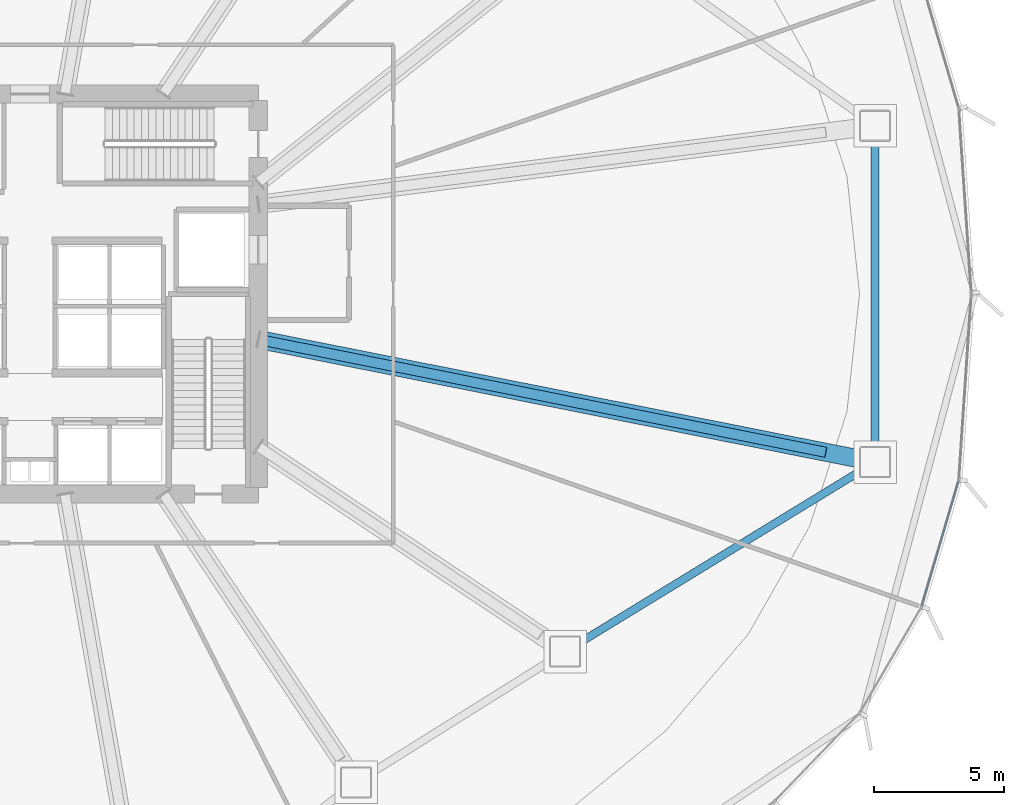
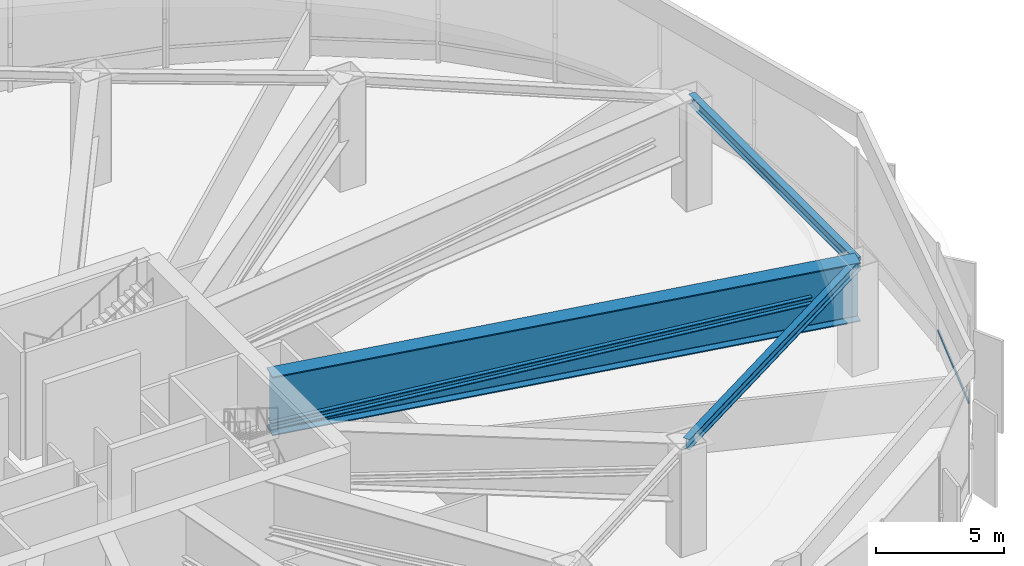
# One storey, part 20 of 36: 3 beams, 2 members, 1 element without a shape of its own.
"""IFC4 building model written with IfcOpenShell, lengths in metres."""

from ifc_helpers import new_model, si_unit, direction, frame, origin, origin_2d, place, context, subcontext, project, spatial, hollow_rectangle, i_section, extrude, source, transform, mapped, material, layer, layer_set, material_profile, profile_set, type_object, element, aggregate, save


model = new_model("IFC4")

# Units and contexts
model_context = context("Model", 3, precision=1e-05, world=origin(), true_north=direction((0.0, 1.0)))
body_context = subcontext(model_context, "Body", "Model", "MODEL_VIEW")
ifc_project = project(units=[si_unit("LENGTHUNIT", "METRE"), si_unit("AREAUNIT", "SQUARE_METRE"), si_unit("VOLUMEUNIT", "CUBIC_METRE"), si_unit("PLANEANGLEUNIT", "RADIAN"), si_unit("MASSUNIT", "GRAM", prefix="KILO"), si_unit("THERMODYNAMICTEMPERATUREUNIT", "KELVIN")], contexts=[model_context])

# Site, building, storey
site_placement = place(None, origin())
site = spatial("IfcSite", under=ifc_project, at=site_placement, CompositionType="ELEMENT")
building_placement = place(site_placement, origin())
building = spatial("IfcBuilding", under=site, at=building_placement, Name="Kethvar Cultural Tower", CompositionType="ELEMENT")
storey_placement = place(building_placement, frame((0.0, 0.0, 24.0)))
storey = spatial("IfcBuildingStorey", under=building, at=storey_placement, Name="L05", CompositionType="ELEMENT", Elevation=24.0)

# Beams
ifc_material_1 = material(Name="Steel S355J2", Category="steel")
ifc_material_profile_1 = material_profile(ifc_material_1, i_section(OverallWidth=0.300048828125, OverallDepth=0.5, WebThickness=0.014404296875, FlangeThickness=0.028076171875, FilletRadius=0.027099609375, at=origin_2d()), Name="Steel S355J2 — HEB500")
ifc_profile_set_1 = profile_set([ifc_material_profile_1], Name="Steel S355J2 — HEB500")
beam_type_1 = type_object("IfcBeamType", Name="BM-SP500", PredefinedType="SPANDREL", material=ifc_profile_set_1)
shared_shape_1 = source(origin(), body_context, "Body", "SweptSolid", [
    extrude(i_section(OverallWidth=0.300048828125, OverallDepth=0.5, WebThickness=0.014404296875, FlangeThickness=0.028076171875, FilletRadius=0.027099609375, at=origin_2d()), origin(), (0.0, 0.0, 1.0), 13.997802734375),
])
beam_1_placement = place(storey_placement, frame((67.41845703125, 14.023193359375, 4.865966796875), z_axis=(0.853252083851, 0.521498687826, 0.0), x_axis=(-0.521498687826, 0.853252083851, 0.0)))
element("IfcBeam", 1, at=beam_1_placement, inside=storey, type_object=beam_type_1, Name="L05 Podium Ring Beam 15", PredefinedType="SPANDREL", context=body_context, shape_type="MappedRepresentation", body=[
    mapped(shared_shape_1, transform((0.0, 0.0, 0.0), scale=1.0)),
])
shared_shape_2 = source(origin(), body_context, "Body", "SweptSolid", [
    extrude(i_section(OverallWidth=0.300048828125, OverallDepth=0.5, WebThickness=0.014404296875, FlangeThickness=0.028076171875, FilletRadius=0.027099609375, at=origin_2d()), origin(), (0.0, 0.0, 1.0), 12.9541015625),
])
beam_2_placement = place(storey_placement, frame((79.362060546875, 21.322998046875, 4.865966796875), z_axis=(0.0, 1.0, 0.0), x_axis=(-1.0, 0.0, 0.0)))
element("IfcBeam", 2, at=beam_2_placement, inside=storey, type_object=beam_type_1, Name="L05 Podium Ring Beam 16", PredefinedType="SPANDREL", context=body_context, shape_type="MappedRepresentation", body=[
    mapped(shared_shape_2, transform((0.0, 0.0, 0.0), scale=1.0)),
])
ifc_material_2 = material(Name="Steel S460M", Category="steel")
ifc_material_profile_2 = material_profile(ifc_material_2, i_section(OverallWidth=0.699951171875, OverallDepth=2.800048828125, WebThickness=0.031982421875, FlangeThickness=0.050048828125, FilletRadius=0.02392578125, at=origin_2d()), Name="Steel S460M — PG2800x700x50x32")
ifc_profile_set_2 = profile_set([ifc_material_profile_2], Name="Steel S460M — PG2800x700x50x32")
beam_type_2 = type_object("IfcBeamType", Name="BM-TR2800", PredefinedType="BEAM", material=ifc_profile_set_2)
shared_shape_3 = source(origin(), body_context, "Body", "SweptSolid", [
    extrude(i_section(OverallWidth=0.699951171875, OverallDepth=2.800048828125, WebThickness=0.031982421875, FlangeThickness=0.050048828125, FilletRadius=0.02392578125, at=origin_2d()), origin(), (0.0, 0.0, 1.0), 24.2275390625),
])
beam_3_placement = place(storey_placement, frame((55.60009765625, 26.049560546875, 3.716064453125), z_axis=(0.980785168194, -0.195090886131, 0.0), x_axis=(0.195090886131, 0.980785168194, 0.0)))
element("IfcBeam", 3, at=beam_3_placement, inside=storey, type_object=beam_type_2, Name="L05 Composite Transfer Girder TG-16", PredefinedType="BEAM", context=body_context, shape_type="MappedRepresentation", body=[
    mapped(shared_shape_3, transform((0.0, 0.0, 0.0), scale=1.0)),
])

# Member
ifc_material_profile_3 = material_profile(ifc_material_2, i_section(OverallWidth=0.39306640625, OverallDepth=0.345947265625, WebThickness=0.0244140625, FlangeThickness=0.03759765625, FilletRadius=0.014892578125, at=origin_2d()), Name="Steel S460M — HD400x509")
ifc_profile_set_3 = profile_set([ifc_material_profile_3], Name="Steel S460M — HD400x509")
member_type_1 = type_object("IfcMemberType", Name="MB-TR-DIAG", PredefinedType="BRACE", material=ifc_profile_set_3)
shared_shape_4 = source(origin(), body_context, "Body", "SweptSolid", [
    extrude(i_section(OverallWidth=0.39306640625, OverallDepth=0.345947265625, WebThickness=0.0244140625, FlangeThickness=0.03759765625, FilletRadius=0.014892578125, at=origin_2d()), origin(), (0.0, 0.0, 1.0), 22.31103515625),
])
member_1_placement = place(storey_placement, frame((55.60009765625, 26.049560546875, 2.64990234375), z_axis=(0.979837732894, -0.194899543913, 0.043956626124), x_axis=(0.195088108198, 0.980785720756, 0.0)))
element("IfcMember", 4, at=member_1_placement, inside=storey, type_object=member_type_1, Name="L05 Transfer Truss Diagonal TD-16", PredefinedType="BRACE", context=body_context, shape_type="MappedRepresentation", body=[
    mapped(shared_shape_4, transform((0.0, 0.0, 0.0), scale=1.0)),
])

# Curtain wall, member
ifc_material_3 = material(Name="Aluminium 6063-T6", Category="aluminium")
ifc_layer = layer(ifc_material_3, 0.179931640625, Name="Aluminium 6063-T6", Category="aluminium")
ifc_layer_set = layer_set([ifc_layer], Name="Aluminium 6063-T6 (180 mm)")
curtain_wall_type = type_object("IfcCurtainWallType", Name="CW-SYS-01-POD", PredefinedType="NOTDEFINED", material=ifc_layer_set)
curtain_wall_placement = place(storey_placement, origin())
curtain_wall = element("IfcCurtainWall", 5, at=curtain_wall_placement, inside=storey, type_object=curtain_wall_type, Name="L05 Curtain Wall Run 06", PredefinedType="NOTDEFINED")
ifc_material_profile_4 = material_profile(ifc_material_3, hollow_rectangle(XDim=0.06005859375, YDim=0.139892578125, WallThickness=0.0048828125, at=origin_2d()), Name="Aluminium 6063-T6 — RHS140x60x5")
ifc_profile_set_4 = profile_set([ifc_material_profile_4], Name="Aluminium 6063-T6 — RHS140x60x5")
member_type_2 = type_object("IfcMemberType", Name="CW-SYS-01-POD-TRN", PredefinedType="USERDEFINED", material=ifc_profile_set_4)
shared_shape_5 = source(origin(), body_context, "Body", "SweptSolid", [
    extrude(hollow_rectangle(XDim=0.06005859375, YDim=0.139892578125, WallThickness=0.0048828125, at=origin_2d()), origin(), (0.0, 0.0, 1.0), 5.0126953125),
])
member_2_placement = place(storey_placement, frame((81.16552734375, 15.796630859375, 0.949951171875), z_axis=(0.281757580899, 0.959485625534, 0.0), x_axis=(-0.959485625534, 0.281757580899, 0.0)))
member_2 = element("IfcMember", 6, at=member_2_placement, type_object=member_type_2, Name="CW-L05-R06 Transom 5", ObjectType="TRANSOM", PredefinedType="USERDEFINED", context=body_context, shape_type="MappedRepresentation", body=[
    mapped(shared_shape_5, transform((0.0, 0.0, 0.0), scale=1.0)),
])
aggregate(curtain_wall, [member_2])

save(model, "model.ifc")
